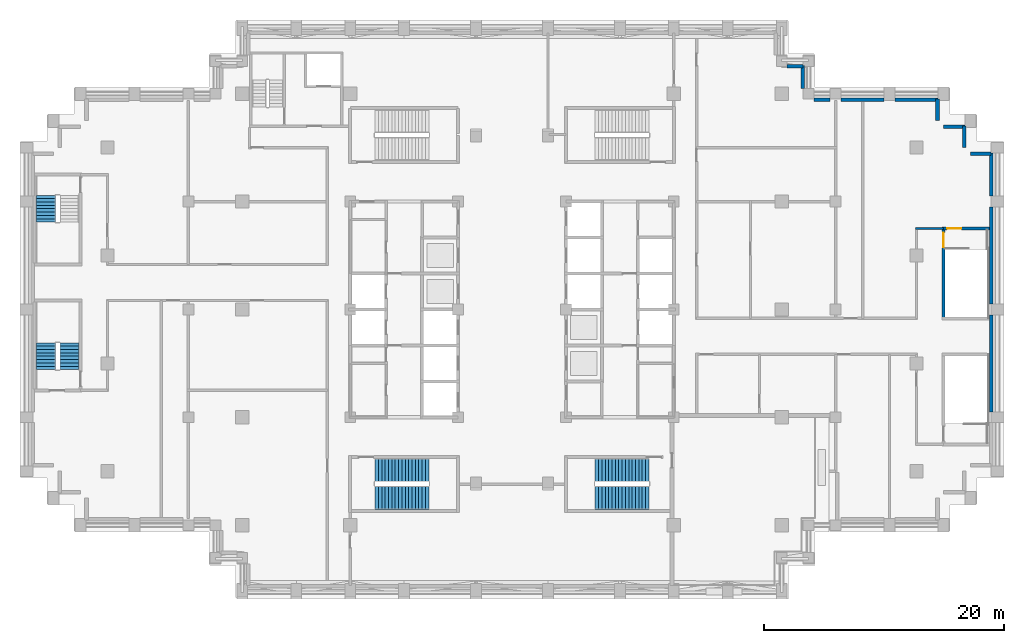
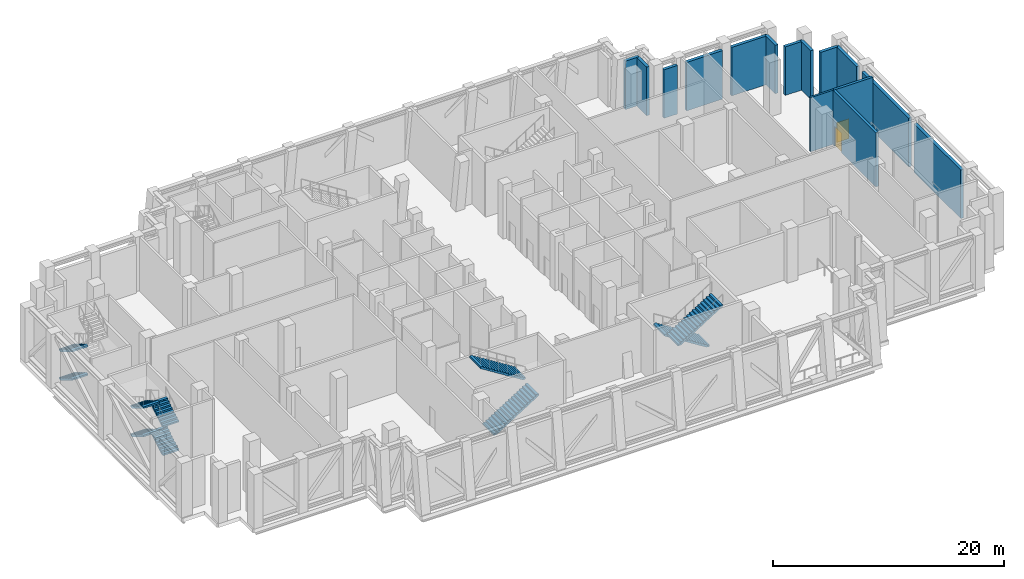
# One storey, part 9 of 14: 15 walls, 10 stair flights, 2 doors, 2 openings, 4 elements without a shape of their own.
"""IFC4 building model written with IfcOpenShell, lengths in metres."""

from ifc_helpers import new_model, si_unit, direction, frame, frame_2d, origin, place, context, subcontext, project, spatial, polyline, rectangle, outline, extrude, material, layer, layer_set, type_object, element, fill, aggregate, save


model = new_model("IFC4")

# Units and contexts
model_context = context("Model", 3, precision=1e-05, world=origin(), true_north=direction((0.0, 1.0)))
body_context = subcontext(model_context, "Body", "Model", "MODEL_VIEW")
ifc_project = project(units=[si_unit("LENGTHUNIT", "METRE"), si_unit("AREAUNIT", "SQUARE_METRE"), si_unit("VOLUMEUNIT", "CUBIC_METRE"), si_unit("PLANEANGLEUNIT", "RADIAN"), si_unit("MASSUNIT", "GRAM", prefix="KILO")], contexts=[model_context])

# Site, building, storey
site_placement = place(None, origin())
site = spatial("IfcSite", under=ifc_project, at=site_placement, CompositionType="ELEMENT")
building_placement = place(site_placement, origin())
building = spatial("IfcBuilding", under=site, at=building_placement, Name="Corbelhall Arena Tower", CompositionType="ELEMENT")
storey_placement = place(building_placement, frame((0.0, 0.0, 178.0)))
storey = spatial("IfcBuildingStorey", under=building, at=storey_placement, Name="L36", CompositionType="ELEMENT", Elevation=178.0)

# Walls
ifc_material_1 = material(Name="Precast concrete C40/50 with granite facing", Category="masonry")
ifc_layer_1 = layer(ifc_material_1, 0.300048828125)
ifc_layer_set_1 = layer_set([ifc_layer_1], Name="EV-IW1 Infill panel 300")
wall_type_1 = type_object("IfcWallType", Name="EV-IW1 Infill panel 300", PredefinedType="SOLIDWALL", material=ifc_layer_set_1)
wall_1_placement = place(storey_placement, frame((39.949951171875, 13.0, 0.0), z_axis=(0.0, 0.0, 1.0), x_axis=(-1.0, 0.0, 0.0)))
element("IfcWall", 1, at=wall_1_placement, inside=storey, type_object=wall_type_1, Name="Infill panel IW1", PredefinedType="SOLIDWALL", context=body_context, shape_type="SweptSolid", body=[
    extrude(rectangle(XDim=1.699951171875, YDim=0.300048828125, at=frame_2d((0.85009765625, 0.0))), origin(), (0.0, 0.0, 1.0), 5.1201171875),
])
for number, where, z_axis, x_axis, name in (
    (2, (37.75, 15.300048828125, 0.0), (0.0, 0.0, 1.0), (0.0, -1.0, 0.0), "Infill panel IW1"),
    (3, (37.800048828125, 15.25, 0.0), (0.0, 0.0, 1.0), (-1.0, 0.0, 0.0), "Infill panel IW1"),
    (4, (35.5, 17.550048828125, 0.0), (0.0, 0.0, 1.0), (0.0, -1.0, 0.0), "Infill panel IW1"),
):
    element("IfcWall", number, at=place(storey_placement, frame(where, z_axis=z_axis, x_axis=x_axis)), inside=storey, type_object=wall_type_1, Name=name, PredefinedType="SOLIDWALL", context=body_context, shape_type="SweptSolid", body=[
        extrude(rectangle(XDim=1.800048828125, YDim=0.300048828125, at=frame_2d((0.89990234375, 0.0))), origin(), (0.0, 0.0, 1.0), 5.1201171875),
    ])
for number, where, z_axis, x_axis, name in (
    (5, (40.0, -8.550048828125, 0.0), (0.0, 0.0, 1.0), (0.0, 1.0, 0.0), "Infill panel IW1"),
    (6, (40.0, 0.449951171875, 0.0), (0.0, 0.0, 1.0), (0.0, 1.0, 0.0), "Infill panel IW1"),
):
    element("IfcWall", number, at=place(storey_placement, frame(where, z_axis=z_axis, x_axis=x_axis)), inside=storey, type_object=wall_type_1, Name=name, PredefinedType="SOLIDWALL", context=body_context, shape_type="SweptSolid", body=[
        extrude(rectangle(XDim=8.10009765625, YDim=0.300048828125, at=frame_2d((4.050048828125, 0.0))), origin(), (0.0, 0.0, 1.0), 5.1201171875),
    ])
for number, where, z_axis, x_axis, name in (
    (7, (40.0, 9.449951171875, 0.0), (0.0, 0.0, 1.0), (0.0, 1.0, 0.0), "Infill panel IW1"),
    (8, (35.550048828125, 17.5, 0.0), (0.0, 0.0, 1.0), (-1.0, 0.0, 0.0), "Infill panel IW1"),
    (9, (31.050048828125, 17.5, 0.0), (0.0, 0.0, 1.0), (-1.0, 0.0, 0.0), "Infill panel IW1"),
):
    element("IfcWall", number, at=place(storey_placement, frame(where, z_axis=z_axis, x_axis=x_axis)), inside=storey, type_object=wall_type_1, Name=name, PredefinedType="SOLIDWALL", context=body_context, shape_type="SweptSolid", body=[
        extrude(rectangle(XDim=3.60009765625, YDim=0.300048828125, at=frame_2d((1.800048828125, 0.0))), origin(), (0.0, 0.0, 1.0), 5.1201171875),
    ])
wall_2_placement = place(storey_placement, frame((26.550048828125, 17.5, 0.0), z_axis=(0.0, 0.0, 1.0), x_axis=(-1.0, 0.0, 0.0)))
element("IfcWall", 10, at=wall_2_placement, inside=storey, type_object=wall_type_1, Name="Infill panel IW1", PredefinedType="SOLIDWALL", context=body_context, shape_type="SweptSolid", body=[
    extrude(rectangle(XDim=1.35009765625, YDim=0.300048828125, at=frame_2d((0.675048828125, 0.0))), origin(), (0.0, 0.0, 1.0), 5.1201171875),
])
wall_3_placement = place(storey_placement, frame((24.25, 18.449951171875, 0.0), z_axis=(0.0, 0.0, 1.0), x_axis=(0.0, 1.0, 0.0)))
element("IfcWall", 11, at=wall_3_placement, inside=storey, type_object=wall_type_1, Name="Infill panel IW1", PredefinedType="SOLIDWALL", context=body_context, shape_type="SweptSolid", body=[
    extrude(rectangle(XDim=1.900146484375, YDim=0.300048828125, at=frame_2d((0.9501953125, 0.0))), origin(), (0.0, 0.0, 1.0), 5.1201171875),
])
wall_4_placement = place(storey_placement, frame((24.300048828125, 20.300048828125, 0.0), z_axis=(0.0, 0.0, 1.0), x_axis=(-1.0, 0.0, 0.0)))
element("IfcWall", 12, at=wall_4_placement, inside=storey, type_object=wall_type_1, Name="Infill panel IW1", PredefinedType="SOLIDWALL", context=body_context, shape_type="SweptSolid", body=[
    extrude(rectangle(XDim=1.35009765625, YDim=0.300048828125, at=frame_2d((0.675048828125, 0.0))), origin(), (0.0, 0.0, 1.0), 5.1201171875),
])
ifc_material_2 = material(Name="Gypsum board on steel stud, acoustic", Category="steel")
ifc_layer_2 = layer(ifc_material_2, 0.199951171875)
ifc_layer_set_2 = layer_set([ifc_layer_2], Name="IN-W-DM200")
wall_type_2 = type_object("IfcWallType", Name="IN-W-DM200", PredefinedType="PARTITIONING", material=ifc_layer_set_2)
wall_5_placement = place(storey_placement, frame((33.64990234375, 6.75, 0.0), z_axis=(0.0, 0.0, 1.0), x_axis=(1.0, 0.0, 0.0)))
element("IfcWall", 13, at=wall_5_placement, inside=storey, type_object=wall_type_2, Name="Partition 034", PredefinedType="PARTITIONING", context=body_context, shape_type="SweptSolid", body=[
    extrude(rectangle(XDim=2.35009765625, YDim=0.199951171875, at=frame_2d((1.175048828125, 0.0))), origin(), (0.0, 0.0, 1.0), 5.719970703125),
])

# Wall, opening, door
ifc_material_3 = material(Name="Concrete C40/50", Category="concrete")
ifc_layer_3 = layer(ifc_material_3, 0.25)
ifc_layer_set_3 = layer_set([ifc_layer_3], Name="IN-W-ST250")
wall_type_3 = type_object("IfcWallType", Name="IN-W-ST250", PredefinedType="SOLIDWALL", material=ifc_layer_set_3)
wall_6_placement = place(storey_placement, frame((36.0, -0.75, 0.0), z_axis=(0.0, 0.0, 1.0), x_axis=(0.0, 1.0, 0.0)))
wall_6 = element("IfcWall", 14, at=wall_6_placement, inside=storey, type_object=wall_type_3, Name="Shaft wall 101", PredefinedType="SOLIDWALL", context=body_context, shape_type="SweptSolid", body=[
    extrude(rectangle(XDim=7.625, YDim=0.25, at=frame_2d((3.8125, 0.0))), origin(), (0.0, 0.0, 1.0), 5.719970703125),
])
opening_1_placement = place(wall_6_placement, frame((5.949951171875, 0.0, 0.0)))
opening_1 = element("IfcOpeningElement", 15, at=opening_1_placement, cuts=wall_6, Name="Opening 27019", PredefinedType="OPENING", context=body_context, shape_type="SweptSolid", body=[
    extrude(rectangle(XDim=1.199951171875, YDim=2.10009765625, at=frame_2d((0.60009765625, 1.050048828125))), frame((0.0, 0.125, 0.0), z_axis=(0.0, -1.0, 0.0), x_axis=(1.0, 0.0, 0.0)), (0.0, 0.0, 1.0), 0.25),
])
ifc_material_4 = material(Name="Steel door set", Category="steel")
door_type = type_object("IfcDoorType", Name="IN-D-ST120", OperationType="NOTDEFINED", PredefinedType="DOOR", material=ifc_material_4)
door_1_placement = place(opening_1_placement, origin())
door_1 = element("IfcDoor", 16, at=door_1_placement, inside=storey, type_object=door_type, Name="Door 019", OperationType="SINGLE_SWING_RIGHT", OverallHeight=2.10009765625, OverallWidth=1.199951171875, PredefinedType="DOOR", context=body_context, shape_type="SweptSolid", body=[
    extrude(rectangle(XDim=1.199951171875, YDim=2.10009765625, at=frame_2d((0.60009765625, 1.050048828125))), frame((0.0, 0.02490234375, 0.0), z_axis=(0.0, -1.0, 0.0), x_axis=(1.0, 0.0, 0.0)), (0.0, 0.0, 1.0), 0.050048828125),
])
fill(opening_1, door_1)

wall_7_placement = place(storey_placement, frame((36.0, 6.75, 0.0), z_axis=(0.0, 0.0, 1.0), x_axis=(1.0, 0.0, 0.0)))
wall_7 = element("IfcWall", 17, at=wall_7_placement, inside=storey, type_object=wall_type_3, Name="Shaft wall 102", PredefinedType="SOLIDWALL", context=body_context, shape_type="SweptSolid", body=[
    extrude(rectangle(XDim=3.85009765625, YDim=0.25, at=frame_2d((1.925048828125, 0.0))), origin(), (0.0, 0.0, 1.0), 5.719970703125),
])
opening_2_placement = place(wall_7_placement, frame((0.300048828125, 0.0, 0.0)))
opening_2 = element("IfcOpeningElement", 18, at=opening_2_placement, cuts=wall_7, Name="Opening 27036", PredefinedType="OPENING", context=body_context, shape_type="SweptSolid", body=[
    extrude(rectangle(XDim=1.199951171875, YDim=2.10009765625, at=frame_2d((0.60009765625, 1.050048828125))), frame((0.0, 0.125, 0.0), z_axis=(0.0, -1.0, 0.0), x_axis=(1.0, 0.0, 0.0)), (0.0, 0.0, 1.0), 0.25),
])
door_2_placement = place(opening_2_placement, origin())
door_2 = element("IfcDoor", 19, at=door_2_placement, inside=storey, type_object=door_type, Name="Door 036", OperationType="SINGLE_SWING_LEFT", OverallHeight=2.10009765625, OverallWidth=1.199951171875, PredefinedType="DOOR", context=body_context, shape_type="SweptSolid", body=[
    extrude(rectangle(XDim=1.199951171875, YDim=2.10009765625, at=frame_2d((0.60009765625, 1.050048828125))), frame((0.0, 0.02490234375, 0.0), z_axis=(0.0, -1.0, 0.0), x_axis=(1.0, 0.0, 0.0)), (0.0, 0.0, 1.0), 0.050048828125),
])
fill(opening_2, door_2)

# Stair, stair flights
stair_type = type_object("IfcStairType", Name="IN-ST-TOWER", PredefinedType="HALF_TURN_STAIR", material=ifc_material_3)
stair_1_placement = place(storey_placement, origin())
stair_1 = element("IfcStair", 20, at=stair_1_placement, inside=storey, type_object=stair_type, Name="L36 Exit stair ST2", PredefinedType="HALF_TURN_STAIR")
stair_flight_type = type_object("IfcStairFlightType", Name="IN-SFL-RC", PredefinedType="STRAIGHT", material=ifc_material_3)
stair_flight_1_placement = place(storey_placement, frame((-11.425048828125, -15.699951171875, 0.0), z_axis=(0.0, 0.0, 1.0), x_axis=(1.0, 0.0, 0.0)))
stair_flight_1 = element("IfcStairFlight", 21, at=stair_flight_1_placement, type_object=stair_flight_type, Name="ST2 flight 1", NumberOfRisers=17, NumberOfTreads=16, PredefinedType="STRAIGHT", RiserHeight=0.176470588, TreadLength=0.28, context=body_context, shape_type="SweptSolid", body=[
    extrude(outline(polyline([(0.0, 0.0), (0.0, 0.176513671875), (0.280029296875, 0.176513671875), (0.280029296875, 0.35302734375), (0.56005859375, 0.35302734375), (0.56005859375, 0.529296875), (0.840087890625, 0.529296875), (0.840087890625, 0.705810546875), (1.1201171875, 0.705810546875), (1.1201171875, 0.88232421875), (1.39990234375, 0.88232421875), (1.39990234375, 1.058837890625), (1.679931640625, 1.058837890625), (1.679931640625, 1.2353515625), (1.9599609375, 1.2353515625), (1.9599609375, 1.411865234375), (2.239990234375, 1.411865234375), (2.239990234375, 1.588134765625), (2.52001953125, 1.588134765625), (2.52001953125, 1.7646484375), (2.800048828125, 1.7646484375), (2.800048828125, 1.941162109375), (3.080078125, 1.941162109375), (3.080078125, 2.11767578125), (3.360107421875, 2.11767578125), (3.360107421875, 2.294189453125), (3.639892578125, 2.294189453125), (3.639892578125, 2.470703125), (3.919921875, 2.470703125), (3.919921875, 2.64697265625), (4.199951171875, 2.64697265625), (4.199951171875, 2.823486328125), (4.47998046875, 2.823486328125), (4.47998046875, 3.0), (4.47998046875, 2.646240234375), (0.28125, 0.0), (0.0, 0.0)])), frame((0.0, 0.97509765625, 0.0), z_axis=(0.0, -1.0, 0.0), x_axis=(1.0, 0.0, 0.0)), (0.0, 0.0, 1.0), 1.949951171875),
])
stair_flight_2_placement = place(storey_placement, frame((-6.945068359375, -13.39990234375, 3.0), z_axis=(0.0, 0.0, 1.0), x_axis=(-1.0, 0.0, 0.0)))
stair_flight_2 = element("IfcStairFlight", 22, at=stair_flight_2_placement, type_object=stair_flight_type, Name="ST2 flight 2", NumberOfRisers=17, NumberOfTreads=16, PredefinedType="STRAIGHT", RiserHeight=0.176470588, TreadLength=0.28, context=body_context, shape_type="SweptSolid", body=[
    extrude(outline(polyline([(0.0, 0.0), (0.0, 0.176513671875), (0.280029296875, 0.176513671875), (0.280029296875, 0.35302734375), (0.56005859375, 0.35302734375), (0.56005859375, 0.529296875), (0.840087890625, 0.529296875), (0.840087890625, 0.705810546875), (1.1201171875, 0.705810546875), (1.1201171875, 0.88232421875), (1.39990234375, 0.88232421875), (1.39990234375, 1.058837890625), (1.679931640625, 1.058837890625), (1.679931640625, 1.2353515625), (1.9599609375, 1.2353515625), (1.9599609375, 1.411865234375), (2.239990234375, 1.411865234375), (2.239990234375, 1.588134765625), (2.52001953125, 1.588134765625), (2.52001953125, 1.7646484375), (2.800048828125, 1.7646484375), (2.800048828125, 1.941162109375), (3.080078125, 1.941162109375), (3.080078125, 2.11767578125), (3.360107421875, 2.11767578125), (3.360107421875, 2.294189453125), (3.639892578125, 2.294189453125), (3.639892578125, 2.470703125), (3.919921875, 2.470703125), (3.919921875, 2.64697265625), (4.199951171875, 2.64697265625), (4.199951171875, 2.823486328125), (4.47998046875, 2.823486328125), (4.47998046875, 3.0), (4.47998046875, 2.646240234375), (0.28125, 0.0), (0.0, 0.0)])), frame((0.0, 0.97509765625, 0.0), z_axis=(0.0, -1.0, 0.0), x_axis=(1.0, 0.0, 0.0)), (0.0, 0.0, 1.0), 1.949951171875),
])
aggregate(stair_1, [stair_flight_1, stair_flight_2])

stair_2_placement = place(storey_placement, origin())
stair_2 = element("IfcStair", 23, at=stair_2_placement, inside=storey, type_object=stair_type, Name="L36 Exit stair ST4", PredefinedType="HALF_TURN_STAIR")
stair_flight_3_placement = place(storey_placement, frame((11.425048828125, -13.39990234375, 0.0), z_axis=(0.0, 0.0, 1.0), x_axis=(-1.0, 0.0, 0.0)))
stair_flight_3 = element("IfcStairFlight", 24, at=stair_flight_3_placement, type_object=stair_flight_type, Name="ST4 flight 1", NumberOfRisers=17, NumberOfTreads=16, PredefinedType="STRAIGHT", RiserHeight=0.176470588, TreadLength=0.28, context=body_context, shape_type="SweptSolid", body=[
    extrude(outline(polyline([(0.0, 0.0), (0.0, 0.176513671875), (0.280029296875, 0.176513671875), (0.280029296875, 0.35302734375), (0.56005859375, 0.35302734375), (0.56005859375, 0.529296875), (0.840087890625, 0.529296875), (0.840087890625, 0.705810546875), (1.1201171875, 0.705810546875), (1.1201171875, 0.88232421875), (1.39990234375, 0.88232421875), (1.39990234375, 1.058837890625), (1.679931640625, 1.058837890625), (1.679931640625, 1.2353515625), (1.9599609375, 1.2353515625), (1.9599609375, 1.411865234375), (2.239990234375, 1.411865234375), (2.239990234375, 1.588134765625), (2.52001953125, 1.588134765625), (2.52001953125, 1.7646484375), (2.800048828125, 1.7646484375), (2.800048828125, 1.941162109375), (3.080078125, 1.941162109375), (3.080078125, 2.11767578125), (3.360107421875, 2.11767578125), (3.360107421875, 2.294189453125), (3.639892578125, 2.294189453125), (3.639892578125, 2.470703125), (3.919921875, 2.470703125), (3.919921875, 2.64697265625), (4.199951171875, 2.64697265625), (4.199951171875, 2.823486328125), (4.47998046875, 2.823486328125), (4.47998046875, 3.0), (4.47998046875, 2.646240234375), (0.28125, 0.0), (0.0, 0.0)])), frame((0.0, 0.97509765625, 0.0), z_axis=(0.0, -1.0, 0.0), x_axis=(1.0, 0.0, 0.0)), (0.0, 0.0, 1.0), 1.949951171875),
])
stair_flight_4_placement = place(storey_placement, frame((6.945068359375, -15.699951171875, 3.0), z_axis=(0.0, 0.0, 1.0), x_axis=(1.0, 0.0, 0.0)))
stair_flight_4 = element("IfcStairFlight", 25, at=stair_flight_4_placement, type_object=stair_flight_type, Name="ST4 flight 2", NumberOfRisers=17, NumberOfTreads=16, PredefinedType="STRAIGHT", RiserHeight=0.176470588, TreadLength=0.28, context=body_context, shape_type="SweptSolid", body=[
    extrude(outline(polyline([(0.0, 0.0), (0.0, 0.176513671875), (0.280029296875, 0.176513671875), (0.280029296875, 0.35302734375), (0.56005859375, 0.35302734375), (0.56005859375, 0.529296875), (0.840087890625, 0.529296875), (0.840087890625, 0.705810546875), (1.1201171875, 0.705810546875), (1.1201171875, 0.88232421875), (1.39990234375, 0.88232421875), (1.39990234375, 1.058837890625), (1.679931640625, 1.058837890625), (1.679931640625, 1.2353515625), (1.9599609375, 1.2353515625), (1.9599609375, 1.411865234375), (2.239990234375, 1.411865234375), (2.239990234375, 1.588134765625), (2.52001953125, 1.588134765625), (2.52001953125, 1.7646484375), (2.800048828125, 1.7646484375), (2.800048828125, 1.941162109375), (3.080078125, 1.941162109375), (3.080078125, 2.11767578125), (3.360107421875, 2.11767578125), (3.360107421875, 2.294189453125), (3.639892578125, 2.294189453125), (3.639892578125, 2.470703125), (3.919921875, 2.470703125), (3.919921875, 2.64697265625), (4.199951171875, 2.64697265625), (4.199951171875, 2.823486328125), (4.47998046875, 2.823486328125), (4.47998046875, 3.0), (4.47998046875, 2.646240234375), (0.28125, 0.0), (0.0, 0.0)])), frame((0.0, 0.97509765625, 0.0), z_axis=(0.0, -1.0, 0.0), x_axis=(1.0, 0.0, 0.0)), (0.0, 0.0, 1.0), 1.949951171875),
])
aggregate(stair_2, [stair_flight_3, stair_flight_4])

stair_3_placement = place(storey_placement, origin())
stair_3 = element("IfcStair", 26, at=stair_3_placement, inside=storey, type_object=stair_type, Name="L36 Exit stair SC1", PredefinedType="HALF_TURN_STAIR")
stair_flight_5_placement = place(storey_placement, frame((-38.89990234375, 9.52490234375, 0.0), z_axis=(0.0, 0.0, 1.0), x_axis=(0.0, -1.0, 0.0)))
stair_flight_5 = element("IfcStairFlight", 27, at=stair_flight_5_placement, type_object=stair_flight_type, Name="SC1 flight 1", NumberOfRisers=9, NumberOfTreads=8, PredefinedType="STRAIGHT", RiserHeight=0.166666667, TreadLength=0.28, context=body_context, shape_type="SweptSolid", body=[
    extrude(outline(polyline([(0.0, 0.0), (0.0, 0.166748046875), (0.280029296875, 0.166748046875), (0.280029296875, 0.333251953125), (0.56005859375, 0.333251953125), (0.56005859375, 0.5), (0.840087890625, 0.5), (0.840087890625, 0.666748046875), (1.1201171875, 0.666748046875), (1.1201171875, 0.833251953125), (1.39990234375, 0.833251953125), (1.39990234375, 1.0), (1.679931640625, 1.0), (1.679931640625, 1.166748046875), (1.9599609375, 1.166748046875), (1.9599609375, 1.333251953125), (2.239990234375, 1.333251953125), (2.239990234375, 1.5), (2.239990234375, 1.158935546875), (0.29296875, 0.0), (0.0, 0.0)])), frame((0.0, 0.800048828125, 0.0), z_axis=(0.0, -1.0, 0.0), x_axis=(1.0, 0.0, 0.0)), (0.0, 0.0, 1.0), 0.39990234375),
    extrude(outline(polyline([(0.0, 0.0), (0.0, 0.166748046875), (0.280029296875, 0.166748046875), (0.280029296875, 0.333251953125), (0.56005859375, 0.333251953125), (0.56005859375, 0.5), (0.840087890625, 0.5), (0.840087890625, 0.666748046875), (1.1201171875, 0.666748046875), (1.1201171875, 0.833251953125), (1.39990234375, 0.833251953125), (1.39990234375, 1.0), (1.679931640625, 1.0), (1.679931640625, 1.166748046875), (1.9599609375, 1.166748046875), (1.9599609375, 1.333251953125), (2.239990234375, 1.333251953125), (2.239990234375, 1.5), (2.239990234375, 1.158935546875), (0.29296875, 0.0), (0.0, 0.0)])), frame((0.0, 0.39599609375, 0.0), z_axis=(0.0, -1.0, 0.0), x_axis=(1.0, 0.0, 0.0)), (0.0, 0.0, 1.0), 0.7919921875),
    extrude(outline(polyline([(0.0, 0.0), (0.0, 0.166748046875), (0.280029296875, 0.166748046875), (0.280029296875, 0.333251953125), (0.56005859375, 0.333251953125), (0.56005859375, 0.5), (0.840087890625, 0.5), (0.840087890625, 0.666748046875), (1.1201171875, 0.666748046875), (1.1201171875, 0.833251953125), (1.39990234375, 0.833251953125), (1.39990234375, 1.0), (1.679931640625, 1.0), (1.679931640625, 1.166748046875), (1.9599609375, 1.166748046875), (1.9599609375, 1.333251953125), (2.239990234375, 1.333251953125), (2.239990234375, 1.5), (2.239990234375, 1.158935546875), (0.29296875, 0.0), (0.0, 0.0)])), frame((0.0, -0.39990234375, 0.0), z_axis=(0.0, -1.0, 0.0), x_axis=(1.0, 0.0, 0.0)), (0.0, 0.0, 1.0), 0.39990234375),
])
stair_flight_6_placement = place(storey_placement, frame((-38.89990234375, 9.52490234375, 3.0), z_axis=(0.0, 0.0, 1.0), x_axis=(0.0, -1.0, 0.0)))
stair_flight_6 = element("IfcStairFlight", 28, at=stair_flight_6_placement, type_object=stair_flight_type, Name="SC1 flight 3", NumberOfRisers=9, NumberOfTreads=8, PredefinedType="STRAIGHT", RiserHeight=0.166666667, TreadLength=0.28, context=body_context, shape_type="SweptSolid", body=[
    extrude(outline(polyline([(0.0, 0.0), (0.0, 0.166748046875), (0.280029296875, 0.166748046875), (0.280029296875, 0.333251953125), (0.56005859375, 0.333251953125), (0.56005859375, 0.5), (0.840087890625, 0.5), (0.840087890625, 0.666748046875), (1.1201171875, 0.666748046875), (1.1201171875, 0.833251953125), (1.39990234375, 0.833251953125), (1.39990234375, 1.0), (1.679931640625, 1.0), (1.679931640625, 1.166748046875), (1.9599609375, 1.166748046875), (1.9599609375, 1.333251953125), (2.239990234375, 1.333251953125), (2.239990234375, 1.5), (2.239990234375, 1.158935546875), (0.29296875, 0.0), (0.0, 0.0)])), frame((0.0, 0.800048828125, 0.0), z_axis=(0.0, -1.0, 0.0), x_axis=(1.0, 0.0, 0.0)), (0.0, 0.0, 1.0), 0.39990234375),
    extrude(outline(polyline([(0.0, 0.0), (0.0, 0.166748046875), (0.280029296875, 0.166748046875), (0.280029296875, 0.333251953125), (0.56005859375, 0.333251953125), (0.56005859375, 0.5), (0.840087890625, 0.5), (0.840087890625, 0.666748046875), (1.1201171875, 0.666748046875), (1.1201171875, 0.833251953125), (1.39990234375, 0.833251953125), (1.39990234375, 1.0), (1.679931640625, 1.0), (1.679931640625, 1.166748046875), (1.9599609375, 1.166748046875), (1.9599609375, 1.333251953125), (2.239990234375, 1.333251953125), (2.239990234375, 1.5), (2.239990234375, 1.158935546875), (0.29296875, 0.0), (0.0, 0.0)])), frame((0.0, 0.39599609375, 0.0), z_axis=(0.0, -1.0, 0.0), x_axis=(1.0, 0.0, 0.0)), (0.0, 0.0, 1.0), 0.7919921875),
    extrude(outline(polyline([(0.0, 0.0), (0.0, 0.166748046875), (0.280029296875, 0.166748046875), (0.280029296875, 0.333251953125), (0.56005859375, 0.333251953125), (0.56005859375, 0.5), (0.840087890625, 0.5), (0.840087890625, 0.666748046875), (1.1201171875, 0.666748046875), (1.1201171875, 0.833251953125), (1.39990234375, 0.833251953125), (1.39990234375, 1.0), (1.679931640625, 1.0), (1.679931640625, 1.166748046875), (1.9599609375, 1.166748046875), (1.9599609375, 1.333251953125), (2.239990234375, 1.333251953125), (2.239990234375, 1.5), (2.239990234375, 1.158935546875), (0.29296875, 0.0), (0.0, 0.0)])), frame((0.0, -0.39990234375, 0.0), z_axis=(0.0, -1.0, 0.0), x_axis=(1.0, 0.0, 0.0)), (0.0, 0.0, 1.0), 0.39990234375),
])
aggregate(stair_3, [stair_flight_5, stair_flight_6])

stair_4_placement = place(storey_placement, origin())
stair_4 = element("IfcStair", 29, at=stair_4_placement, inside=storey, type_object=stair_type, Name="L36 Exit stair SC2", PredefinedType="HALF_TURN_STAIR")
stair_flight_7_placement = place(storey_placement, frame((-36.925048828125, -5.02490234375, 0.0), z_axis=(0.0, 0.0, 1.0), x_axis=(0.0, 1.0, 0.0)))
stair_flight_7 = element("IfcStairFlight", 30, at=stair_flight_7_placement, type_object=stair_flight_type, Name="SC2 flight 1", NumberOfRisers=9, NumberOfTreads=8, PredefinedType="STRAIGHT", RiserHeight=0.166666667, TreadLength=0.28, context=body_context, shape_type="SweptSolid", body=[
    extrude(outline(polyline([(0.0, 0.0), (0.0, 0.166748046875), (0.280029296875, 0.166748046875), (0.280029296875, 0.333251953125), (0.56005859375, 0.333251953125), (0.56005859375, 0.5), (0.840087890625, 0.5), (0.840087890625, 0.666748046875), (1.1201171875, 0.666748046875), (1.1201171875, 0.833251953125), (1.39990234375, 0.833251953125), (1.39990234375, 1.0), (1.679931640625, 1.0), (1.679931640625, 1.166748046875), (1.9599609375, 1.166748046875), (1.9599609375, 1.333251953125), (2.239990234375, 1.333251953125), (2.239990234375, 1.5), (2.239990234375, 1.158935546875), (0.29296875, 0.0), (0.0, 0.0)])), frame((0.0, 0.800048828125, 0.0), z_axis=(0.0, -1.0, 0.0), x_axis=(1.0, 0.0, 0.0)), (0.0, 0.0, 1.0), 0.39990234375),
    extrude(outline(polyline([(0.0, 0.0), (0.0, 0.166748046875), (0.280029296875, 0.166748046875), (0.280029296875, 0.333251953125), (0.56005859375, 0.333251953125), (0.56005859375, 0.5), (0.840087890625, 0.5), (0.840087890625, 0.666748046875), (1.1201171875, 0.666748046875), (1.1201171875, 0.833251953125), (1.39990234375, 0.833251953125), (1.39990234375, 1.0), (1.679931640625, 1.0), (1.679931640625, 1.166748046875), (1.9599609375, 1.166748046875), (1.9599609375, 1.333251953125), (2.239990234375, 1.333251953125), (2.239990234375, 1.5), (2.239990234375, 1.158935546875), (0.29296875, 0.0), (0.0, 0.0)])), frame((0.0, 0.39599609375, 0.0), z_axis=(0.0, -1.0, 0.0), x_axis=(1.0, 0.0, 0.0)), (0.0, 0.0, 1.0), 0.7919921875),
    extrude(outline(polyline([(0.0, 0.0), (0.0, 0.166748046875), (0.280029296875, 0.166748046875), (0.280029296875, 0.333251953125), (0.56005859375, 0.333251953125), (0.56005859375, 0.5), (0.840087890625, 0.5), (0.840087890625, 0.666748046875), (1.1201171875, 0.666748046875), (1.1201171875, 0.833251953125), (1.39990234375, 0.833251953125), (1.39990234375, 1.0), (1.679931640625, 1.0), (1.679931640625, 1.166748046875), (1.9599609375, 1.166748046875), (1.9599609375, 1.333251953125), (2.239990234375, 1.333251953125), (2.239990234375, 1.5), (2.239990234375, 1.158935546875), (0.29296875, 0.0), (0.0, 0.0)])), frame((0.0, -0.39990234375, 0.0), z_axis=(0.0, -1.0, 0.0), x_axis=(1.0, 0.0, 0.0)), (0.0, 0.0, 1.0), 0.39990234375),
])
stair_flight_8_placement = place(storey_placement, frame((-38.89990234375, -2.784912109375, 1.5), z_axis=(0.0, 0.0, 1.0), x_axis=(0.0, -1.0, 0.0)))
stair_flight_8 = element("IfcStairFlight", 31, at=stair_flight_8_placement, type_object=stair_flight_type, Name="SC2 flight 2", NumberOfRisers=9, NumberOfTreads=8, PredefinedType="STRAIGHT", RiserHeight=0.166666667, TreadLength=0.28, context=body_context, shape_type="SweptSolid", body=[
    extrude(outline(polyline([(0.0, 0.0), (0.0, 0.166748046875), (0.280029296875, 0.166748046875), (0.280029296875, 0.333251953125), (0.56005859375, 0.333251953125), (0.56005859375, 0.5), (0.840087890625, 0.5), (0.840087890625, 0.666748046875), (1.1201171875, 0.666748046875), (1.1201171875, 0.833251953125), (1.39990234375, 0.833251953125), (1.39990234375, 1.0), (1.679931640625, 1.0), (1.679931640625, 1.166748046875), (1.9599609375, 1.166748046875), (1.9599609375, 1.333251953125), (2.239990234375, 1.333251953125), (2.239990234375, 1.5), (2.239990234375, 1.158935546875), (0.29296875, 0.0), (0.0, 0.0)])), frame((0.0, 0.800048828125, 0.0), z_axis=(0.0, -1.0, 0.0), x_axis=(1.0, 0.0, 0.0)), (0.0, 0.0, 1.0), 0.39990234375),
    extrude(outline(polyline([(0.0, 0.0), (0.0, 0.166748046875), (0.280029296875, 0.166748046875), (0.280029296875, 0.333251953125), (0.56005859375, 0.333251953125), (0.56005859375, 0.5), (0.840087890625, 0.5), (0.840087890625, 0.666748046875), (1.1201171875, 0.666748046875), (1.1201171875, 0.833251953125), (1.39990234375, 0.833251953125), (1.39990234375, 1.0), (1.679931640625, 1.0), (1.679931640625, 1.166748046875), (1.9599609375, 1.166748046875), (1.9599609375, 1.333251953125), (2.239990234375, 1.333251953125), (2.239990234375, 1.5), (2.239990234375, 1.158935546875), (0.29296875, 0.0), (0.0, 0.0)])), frame((0.0, 0.39599609375, 0.0), z_axis=(0.0, -1.0, 0.0), x_axis=(1.0, 0.0, 0.0)), (0.0, 0.0, 1.0), 0.7919921875),
    extrude(outline(polyline([(0.0, 0.0), (0.0, 0.166748046875), (0.280029296875, 0.166748046875), (0.280029296875, 0.333251953125), (0.56005859375, 0.333251953125), (0.56005859375, 0.5), (0.840087890625, 0.5), (0.840087890625, 0.666748046875), (1.1201171875, 0.666748046875), (1.1201171875, 0.833251953125), (1.39990234375, 0.833251953125), (1.39990234375, 1.0), (1.679931640625, 1.0), (1.679931640625, 1.166748046875), (1.9599609375, 1.166748046875), (1.9599609375, 1.333251953125), (2.239990234375, 1.333251953125), (2.239990234375, 1.5), (2.239990234375, 1.158935546875), (0.29296875, 0.0), (0.0, 0.0)])), frame((0.0, -0.39990234375, 0.0), z_axis=(0.0, -1.0, 0.0), x_axis=(1.0, 0.0, 0.0)), (0.0, 0.0, 1.0), 0.39990234375),
])
stair_flight_9_placement = place(storey_placement, frame((-36.925048828125, -5.02490234375, 3.0), z_axis=(0.0, 0.0, 1.0), x_axis=(0.0, 1.0, 0.0)))
stair_flight_9 = element("IfcStairFlight", 32, at=stair_flight_9_placement, type_object=stair_flight_type, Name="SC2 flight 3", NumberOfRisers=9, NumberOfTreads=8, PredefinedType="STRAIGHT", RiserHeight=0.166666667, TreadLength=0.28, context=body_context, shape_type="SweptSolid", body=[
    extrude(outline(polyline([(0.0, 0.0), (0.0, 0.166748046875), (0.280029296875, 0.166748046875), (0.280029296875, 0.333251953125), (0.56005859375, 0.333251953125), (0.56005859375, 0.5), (0.840087890625, 0.5), (0.840087890625, 0.666748046875), (1.1201171875, 0.666748046875), (1.1201171875, 0.833251953125), (1.39990234375, 0.833251953125), (1.39990234375, 1.0), (1.679931640625, 1.0), (1.679931640625, 1.166748046875), (1.9599609375, 1.166748046875), (1.9599609375, 1.333251953125), (2.239990234375, 1.333251953125), (2.239990234375, 1.5), (2.239990234375, 1.158935546875), (0.29296875, 0.0), (0.0, 0.0)])), frame((0.0, 0.800048828125, 0.0), z_axis=(0.0, -1.0, 0.0), x_axis=(1.0, 0.0, 0.0)), (0.0, 0.0, 1.0), 0.39990234375),
    extrude(outline(polyline([(0.0, 0.0), (0.0, 0.166748046875), (0.280029296875, 0.166748046875), (0.280029296875, 0.333251953125), (0.56005859375, 0.333251953125), (0.56005859375, 0.5), (0.840087890625, 0.5), (0.840087890625, 0.666748046875), (1.1201171875, 0.666748046875), (1.1201171875, 0.833251953125), (1.39990234375, 0.833251953125), (1.39990234375, 1.0), (1.679931640625, 1.0), (1.679931640625, 1.166748046875), (1.9599609375, 1.166748046875), (1.9599609375, 1.333251953125), (2.239990234375, 1.333251953125), (2.239990234375, 1.5), (2.239990234375, 1.158935546875), (0.29296875, 0.0), (0.0, 0.0)])), frame((0.0, 0.39599609375, 0.0), z_axis=(0.0, -1.0, 0.0), x_axis=(1.0, 0.0, 0.0)), (0.0, 0.0, 1.0), 0.7919921875),
    extrude(outline(polyline([(0.0, 0.0), (0.0, 0.166748046875), (0.280029296875, 0.166748046875), (0.280029296875, 0.333251953125), (0.56005859375, 0.333251953125), (0.56005859375, 0.5), (0.840087890625, 0.5), (0.840087890625, 0.666748046875), (1.1201171875, 0.666748046875), (1.1201171875, 0.833251953125), (1.39990234375, 0.833251953125), (1.39990234375, 1.0), (1.679931640625, 1.0), (1.679931640625, 1.166748046875), (1.9599609375, 1.166748046875), (1.9599609375, 1.333251953125), (2.239990234375, 1.333251953125), (2.239990234375, 1.5), (2.239990234375, 1.158935546875), (0.29296875, 0.0), (0.0, 0.0)])), frame((0.0, -0.39990234375, 0.0), z_axis=(0.0, -1.0, 0.0), x_axis=(1.0, 0.0, 0.0)), (0.0, 0.0, 1.0), 0.39990234375),
])
stair_flight_10_placement = place(storey_placement, frame((-38.89990234375, -2.784912109375, 4.5), z_axis=(0.0, 0.0, 1.0), x_axis=(0.0, -1.0, 0.0)))
stair_flight_10 = element("IfcStairFlight", 33, at=stair_flight_10_placement, type_object=stair_flight_type, Name="SC2 flight 4", NumberOfRisers=9, NumberOfTreads=8, PredefinedType="STRAIGHT", RiserHeight=0.166666667, TreadLength=0.28, context=body_context, shape_type="SweptSolid", body=[
    extrude(outline(polyline([(0.0, 0.0), (0.0, 0.166748046875), (0.280029296875, 0.166748046875), (0.280029296875, 0.333251953125), (0.56005859375, 0.333251953125), (0.56005859375, 0.5), (0.840087890625, 0.5), (0.840087890625, 0.666748046875), (1.1201171875, 0.666748046875), (1.1201171875, 0.833251953125), (1.39990234375, 0.833251953125), (1.39990234375, 1.0), (1.679931640625, 1.0), (1.679931640625, 1.166748046875), (1.9599609375, 1.166748046875), (1.9599609375, 1.333251953125), (2.239990234375, 1.333251953125), (2.239990234375, 1.5), (2.239990234375, 1.158935546875), (0.29296875, 0.0), (0.0, 0.0)])), frame((0.0, 0.800048828125, 0.0), z_axis=(0.0, -1.0, 0.0), x_axis=(1.0, 0.0, 0.0)), (0.0, 0.0, 1.0), 0.39990234375),
    extrude(outline(polyline([(0.0, 0.0), (0.0, 0.166748046875), (0.280029296875, 0.166748046875), (0.280029296875, 0.333251953125), (0.56005859375, 0.333251953125), (0.56005859375, 0.5), (0.840087890625, 0.5), (0.840087890625, 0.666748046875), (1.1201171875, 0.666748046875), (1.1201171875, 0.833251953125), (1.39990234375, 0.833251953125), (1.39990234375, 1.0), (1.679931640625, 1.0), (1.679931640625, 1.166748046875), (1.9599609375, 1.166748046875), (1.9599609375, 1.333251953125), (2.239990234375, 1.333251953125), (2.239990234375, 1.5), (2.239990234375, 1.158935546875), (0.29296875, 0.0), (0.0, 0.0)])), frame((0.0, 0.39599609375, 0.0), z_axis=(0.0, -1.0, 0.0), x_axis=(1.0, 0.0, 0.0)), (0.0, 0.0, 1.0), 0.7919921875),
    extrude(outline(polyline([(0.0, 0.0), (0.0, 0.166748046875), (0.280029296875, 0.166748046875), (0.280029296875, 0.333251953125), (0.56005859375, 0.333251953125), (0.56005859375, 0.5), (0.840087890625, 0.5), (0.840087890625, 0.666748046875), (1.1201171875, 0.666748046875), (1.1201171875, 0.833251953125), (1.39990234375, 0.833251953125), (1.39990234375, 1.0), (1.679931640625, 1.0), (1.679931640625, 1.166748046875), (1.9599609375, 1.166748046875), (1.9599609375, 1.333251953125), (2.239990234375, 1.333251953125), (2.239990234375, 1.5), (2.239990234375, 1.158935546875), (0.29296875, 0.0), (0.0, 0.0)])), frame((0.0, -0.39990234375, 0.0), z_axis=(0.0, -1.0, 0.0), x_axis=(1.0, 0.0, 0.0)), (0.0, 0.0, 1.0), 0.39990234375),
])
aggregate(stair_4, [stair_flight_7, stair_flight_8, stair_flight_9, stair_flight_10])

save(model, "model.ifc")
